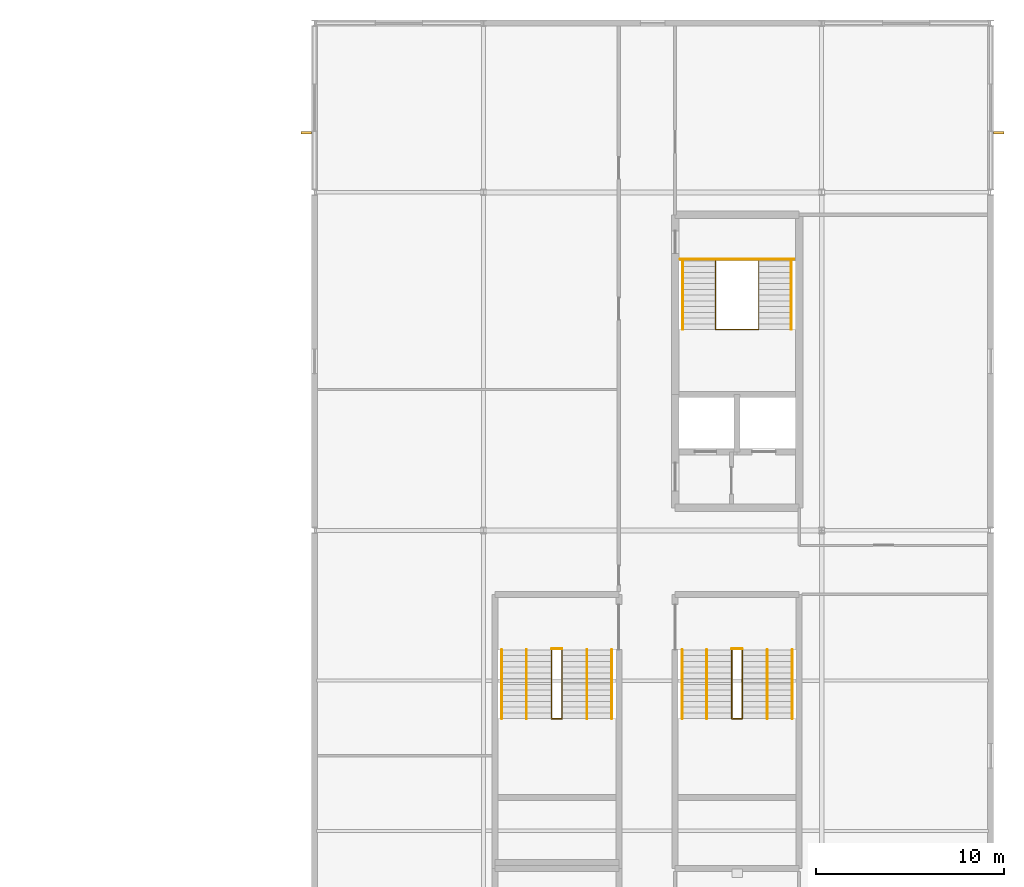
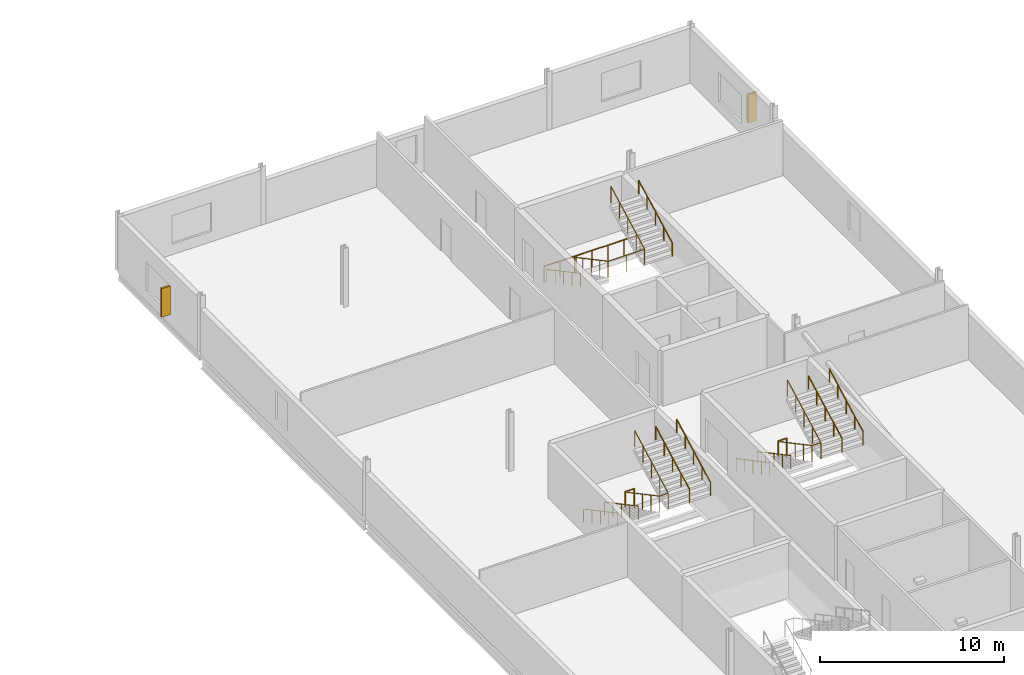
# One storey, part 26 of 27: 16 railings, 2 shading devices.
"""IFC4 building model written with IfcOpenShell, lengths in metres."""

from ifc_helpers import new_model, si_unit, direction, frame, origin, origin_2d, place, context, subcontext, project, spatial, rectangle, circle, extrude, material, type_object, element, save


model = new_model("IFC4")

# Units and contexts
model_context = context("Model", 3, precision=1e-05, world=origin(), true_north=direction((0.0, 1.0)))
body_context = subcontext(model_context, "Body", "Model", "MODEL_VIEW")
ifc_project = project(units=[si_unit("LENGTHUNIT", "METRE"), si_unit("AREAUNIT", "SQUARE_METRE"), si_unit("VOLUMEUNIT", "CUBIC_METRE"), si_unit("PLANEANGLEUNIT", "RADIAN"), si_unit("MASSUNIT", "GRAM", prefix="KILO")], contexts=[model_context])

# Site, building, storey
site_placement = place(None, origin())
site = spatial("IfcSite", under=ifc_project, at=site_placement, CompositionType="ELEMENT")
building_placement = place(site_placement, origin())
building = spatial("IfcBuilding", under=site, at=building_placement, Name="Kisiwana Market Hall", CompositionType="ELEMENT")
storey_placement = place(building_placement, frame((0.0, 0.0, 41.699951171875)))
storey = spatial("IfcBuildingStorey", under=building, at=storey_placement, Name="L09", CompositionType="ELEMENT", Elevation=41.699951171875)

# Railings
ifc_material_1 = material(Name="Steel S275", Category="steel")
railing_type_1 = type_object("IfcRailingType", Name="RL-GUARD-1100", PredefinedType="GUARDRAIL", material=ifc_material_1)
railing_1_placement = place(storey_placement, frame((183.35009765625, 98.3505859375, 0.0)))
element("IfcRailing", 1, at=railing_1_placement, inside=storey, type_object=railing_type_1, Name="Stair ST-E1-L09 inner-well guardrail (RL-1219)", PredefinedType="GUARDRAIL", context=body_context, shape_type="SweptSolid", body=[
    extrude(circle(Radius=0.02392578125, at=origin_2d()), frame((0.0, 0.0, 1.076171875), z_axis=(0.0, -0.882566327451, 0.470187917379), x_axis=(1.0, 0.0, 0.0)), (0.0, 0.0, 1.0), 4.147216796875),
    extrude(circle(Radius=0.02392578125, at=origin_2d()), frame((0.0, -3.66015625, 3.02587890625), z_axis=(1.0, 0.0, 0.0), x_axis=(0.0, 1.0, 0.0)), (0.0, 0.0, 1.0), 2.2998046875),
    extrude(circle(Radius=0.02392578125, at=origin_2d()), frame((2.2998046875, -3.66015625, 3.02587890625), z_axis=(0.0, 0.882541897885, 0.470233770031), x_axis=(-1.0, 0.0, 0.0)), (0.0, 0.0, 1.0), 4.147216796875),
    extrude(circle(Radius=0.02099609375, at=origin_2d()), origin(), (0.0, 0.0, 1.0), 1.052001953125),
    extrude(circle(Radius=0.02099609375, at=origin_2d()), frame((0.0, -0.9150390625, 0.487548828125)), (0.0, 0.0, 1.0), 1.052001953125),
    extrude(circle(Radius=0.02099609375, at=origin_2d()), frame((0.0, -1.830078125, 0.97509765625)), (0.0, 0.0, 1.0), 1.052001953125),
    extrude(circle(Radius=0.02099609375, at=origin_2d()), frame((0.0, -2.7451171875, 1.46240234375)), (0.0, 0.0, 1.0), 1.052001953125),
    extrude(circle(Radius=0.02099609375, at=origin_2d()), frame((0.0, -3.66015625, 1.949951171875)), (0.0, 0.0, 1.0), 1.052001953125),
    extrude(circle(Radius=0.02099609375, at=origin_2d()), frame((1.14990234375, -3.66015625, 1.949951171875)), (0.0, 0.0, 1.0), 1.052001953125),
    extrude(circle(Radius=0.02099609375, at=origin_2d()), frame((2.2998046875, -3.66015625, 1.949951171875)), (0.0, 0.0, 1.0), 1.052001953125),
    extrude(circle(Radius=0.02099609375, at=origin_2d()), frame((2.2998046875, -2.7451171875, 2.4375)), (0.0, 0.0, 1.0), 1.052001953125),
    extrude(circle(Radius=0.02099609375, at=origin_2d()), frame((2.2998046875, -1.830078125, 2.925048828125)), (0.0, 0.0, 1.0), 1.052001953125),
    extrude(circle(Radius=0.02099609375, at=origin_2d()), frame((2.2998046875, -0.9150390625, 3.41259765625)), (0.0, 0.0, 1.0), 1.052001953125),
    extrude(circle(Radius=0.02099609375, at=origin_2d()), frame((2.2998046875, 0.0, 3.900146484375)), (0.0, 0.0, 1.0), 1.052001953125),
])
railing_2_placement = place(storey_placement, frame((181.47998046875, 98.430419921875, 0.0)))
element("IfcRailing", 2, at=railing_2_placement, inside=storey, type_object=railing_type_1, Name="Stair ST-E1-L09 landing edge guardrail (RL-1222)", PredefinedType="GUARDRAIL", context=body_context, shape_type="SweptSolid", body=[
    extrude(circle(Radius=0.02392578125, at=origin_2d()), frame((0.0, 0.0, 1.076171875), z_axis=(1.0, 0.0, 0.0), x_axis=(0.0, 1.0, 0.0)), (0.0, 0.0, 1.0), 6.0400390625),
    extrude(circle(Radius=0.02099609375, at=origin_2d()), origin(), (0.0, 0.0, 1.0), 1.052001953125),
    extrude(circle(Radius=0.02099609375, at=origin_2d()), frame((1.006591796875, 0.0, 0.0)), (0.0, 0.0, 1.0), 1.052001953125),
    extrude(circle(Radius=0.02099609375, at=origin_2d()), frame((2.013427734375, 0.0, 0.0)), (0.0, 0.0, 1.0), 1.052001953125),
    extrude(circle(Radius=0.02099609375, at=origin_2d()), frame((3.02001953125, 0.0, 0.0)), (0.0, 0.0, 1.0), 1.052001953125),
    extrude(circle(Radius=0.02099609375, at=origin_2d()), frame((4.026611328125, 0.0, 0.0)), (0.0, 0.0, 1.0), 1.052001953125),
    extrude(circle(Radius=0.02099609375, at=origin_2d()), frame((5.033447265625, 0.0, 0.0)), (0.0, 0.0, 1.0), 1.052001953125),
    extrude(circle(Radius=0.02099609375, at=origin_2d()), frame((6.0400390625, 0.0, 0.0)), (0.0, 0.0, 1.0), 1.052001953125),
])
railing_3_placement = place(storey_placement, frame((184.219970703125, 77.639892578125, 0.0)))
element("IfcRailing", 3, at=railing_3_placement, inside=storey, type_object=railing_type_1, Name="Stair ST-E4-L09 inner-well guardrail (RL-1241)", PredefinedType="GUARDRAIL", context=body_context, shape_type="SweptSolid", body=[
    extrude(circle(Radius=0.02392578125, at=origin_2d()), frame((0.0, 0.0, 1.076171875), z_axis=(0.0, -0.88255331184, 0.47021234752), x_axis=(1.0, 0.0, 0.0)), (0.0, 0.0, 1.0), 4.14697265625),
    extrude(circle(Radius=0.02392578125, at=origin_2d()), frame((0.0, -3.659912109375, 3.02587890625), z_axis=(1.0, 0.0, 0.0), x_axis=(0.0, 1.0, 0.0)), (0.0, 0.0, 1.0), 0.56005859375),
    extrude(circle(Radius=0.02392578125, at=origin_2d()), frame((0.56005859375, -3.659912109375, 3.02587890625), z_axis=(0.0, 0.882528880096, 0.470258201201), x_axis=(-1.0, 0.0, 0.0)), (0.0, 0.0, 1.0), 4.14697265625),
    extrude(circle(Radius=0.02099609375, at=origin_2d()), origin(), (0.0, 0.0, 1.0), 1.052001953125),
    extrude(circle(Radius=0.02099609375, at=origin_2d()), frame((0.0, -0.9150390625, 0.487548828125)), (0.0, 0.0, 1.0), 1.052001953125),
    extrude(circle(Radius=0.02099609375, at=origin_2d()), frame((0.0, -1.830078125, 0.97509765625)), (0.0, 0.0, 1.0), 1.052001953125),
    extrude(circle(Radius=0.02099609375, at=origin_2d()), frame((0.0, -2.744873046875, 1.46240234375)), (0.0, 0.0, 1.0), 1.052001953125),
    extrude(circle(Radius=0.02099609375, at=origin_2d()), frame((0.0, -3.659912109375, 1.949951171875)), (0.0, 0.0, 1.0), 1.052001953125),
    extrude(circle(Radius=0.02099609375, at=origin_2d()), frame((0.56005859375, -3.659912109375, 1.949951171875)), (0.0, 0.0, 1.0), 1.052001953125),
    extrude(circle(Radius=0.02099609375, at=origin_2d()), frame((0.56005859375, -2.744873046875, 2.4375)), (0.0, 0.0, 1.0), 1.052001953125),
    extrude(circle(Radius=0.02099609375, at=origin_2d()), frame((0.56005859375, -1.830078125, 2.925048828125)), (0.0, 0.0, 1.0), 1.052001953125),
    extrude(circle(Radius=0.02099609375, at=origin_2d()), frame((0.56005859375, -0.9150390625, 3.41259765625)), (0.0, 0.0, 1.0), 1.052001953125),
    extrude(circle(Radius=0.02099609375, at=origin_2d()), frame((0.56005859375, 0.0, 3.900146484375)), (0.0, 0.0, 1.0), 1.052001953125),
])
railing_4_placement = place(storey_placement, frame((184.219970703125, 77.68994140625, 0.0)))
element("IfcRailing", 4, at=railing_4_placement, inside=storey, type_object=railing_type_1, Name="Stair ST-E4-L09 landing edge guardrail (RL-1246)", PredefinedType="GUARDRAIL", context=body_context, shape_type="SweptSolid", body=[
    extrude(circle(Radius=0.02392578125, at=origin_2d()), frame((0.0, 0.0, 1.076171875), z_axis=(1.0, 0.0, 0.0), x_axis=(0.0, 1.0, 0.0)), (0.0, 0.0, 1.0), 0.56005859375),
    extrude(circle(Radius=0.02099609375, at=origin_2d()), origin(), (0.0, 0.0, 1.0), 1.052001953125),
    extrude(circle(Radius=0.02099609375, at=origin_2d()), frame((0.56005859375, 0.0, 0.0)), (0.0, 0.0, 1.0), 1.052001953125),
])
railing_5_placement = place(storey_placement, frame((174.6201171875, 77.639892578125, 0.0)))
element("IfcRailing", 5, at=railing_5_placement, inside=storey, type_object=railing_type_1, Name="Stair ST-E8-L09 inner-well guardrail (RL-1265)", PredefinedType="GUARDRAIL", context=body_context, shape_type="SweptSolid", body=[
    extrude(circle(Radius=0.02392578125, at=origin_2d()), frame((0.0, 0.0, 1.076171875), z_axis=(0.0, -0.88255331184, 0.47021234752), x_axis=(1.0, 0.0, 0.0)), (0.0, 0.0, 1.0), 4.14697265625),
    extrude(circle(Radius=0.02392578125, at=origin_2d()), frame((0.0, -3.659912109375, 3.02587890625), z_axis=(1.0, 0.0, 0.0), x_axis=(0.0, 1.0, 0.0)), (0.0, 0.0, 1.0), 0.559814453125),
    extrude(circle(Radius=0.02392578125, at=origin_2d()), frame((0.559814453125, -3.659912109375, 3.02587890625), z_axis=(0.0, 0.882528880096, 0.470258201201), x_axis=(-1.0, 0.0, 0.0)), (0.0, 0.0, 1.0), 4.14697265625),
    extrude(circle(Radius=0.02099609375, at=origin_2d()), origin(), (0.0, 0.0, 1.0), 1.052001953125),
    extrude(circle(Radius=0.02099609375, at=origin_2d()), frame((0.0, -0.9150390625, 0.487548828125)), (0.0, 0.0, 1.0), 1.052001953125),
    extrude(circle(Radius=0.02099609375, at=origin_2d()), frame((0.0, -1.830078125, 0.97509765625)), (0.0, 0.0, 1.0), 1.052001953125),
    extrude(circle(Radius=0.02099609375, at=origin_2d()), frame((0.0, -2.744873046875, 1.46240234375)), (0.0, 0.0, 1.0), 1.052001953125),
    extrude(circle(Radius=0.02099609375, at=origin_2d()), frame((0.0, -3.659912109375, 1.949951171875)), (0.0, 0.0, 1.0), 1.052001953125),
    extrude(circle(Radius=0.02099609375, at=origin_2d()), frame((0.559814453125, -3.659912109375, 1.949951171875)), (0.0, 0.0, 1.0), 1.052001953125),
    extrude(circle(Radius=0.02099609375, at=origin_2d()), frame((0.559814453125, -2.744873046875, 2.4375)), (0.0, 0.0, 1.0), 1.052001953125),
    extrude(circle(Radius=0.02099609375, at=origin_2d()), frame((0.559814453125, -1.830078125, 2.925048828125)), (0.0, 0.0, 1.0), 1.052001953125),
    extrude(circle(Radius=0.02099609375, at=origin_2d()), frame((0.559814453125, -0.9150390625, 3.41259765625)), (0.0, 0.0, 1.0), 1.052001953125),
    extrude(circle(Radius=0.02099609375, at=origin_2d()), frame((0.559814453125, 0.0, 3.900146484375)), (0.0, 0.0, 1.0), 1.052001953125),
])
railing_6_placement = place(storey_placement, frame((174.6201171875, 77.68994140625, 0.0)))
element("IfcRailing", 6, at=railing_6_placement, inside=storey, type_object=railing_type_1, Name="Stair ST-E8-L09 landing edge guardrail (RL-1270)", PredefinedType="GUARDRAIL", context=body_context, shape_type="SweptSolid", body=[
    extrude(circle(Radius=0.02392578125, at=origin_2d()), frame((0.0, 0.0, 1.076171875), z_axis=(1.0, 0.0, 0.0), x_axis=(0.0, 1.0, 0.0)), (0.0, 0.0, 1.0), 0.559814453125),
    extrude(circle(Radius=0.02099609375, at=origin_2d()), origin(), (0.0, 0.0, 1.0), 1.052001953125),
    extrude(circle(Radius=0.02099609375, at=origin_2d()), frame((0.559814453125, 0.0, 0.0)), (0.0, 0.0, 1.0), 1.052001953125),
])
ifc_material_2 = material(Name="Steel S275", Category="steel")
railing_type_2 = type_object("IfcRailingType", Name="RL-HAND-900", PredefinedType="HANDRAIL", material=ifc_material_2)
railing_7_placement = place(storey_placement, frame((181.610107421875, 98.3505859375, 0.0)))
element("IfcRailing", 7, at=railing_7_placement, inside=storey, type_object=railing_type_2, Name="Stair ST-E1-L09 flight 1 handrail (RL-1220)", PredefinedType="HANDRAIL", context=body_context, shape_type="SweptSolid", body=[
    extrude(circle(Radius=0.02392578125, at=origin_2d()), frame((0.0, 0.0, 0.8759765625), z_axis=(0.0, -0.882566327451, 0.470187917379), x_axis=(1.0, 0.0, 0.0)), (0.0, 0.0, 1.0), 4.147216796875),
    extrude(circle(Radius=0.02099609375, at=origin_2d()), origin(), (0.0, 0.0, 1.0), 0.851806640625),
    extrude(circle(Radius=0.02099609375, at=origin_2d()), frame((0.0, -0.9150390625, 0.487548828125)), (0.0, 0.0, 1.0), 0.851806640625),
    extrude(circle(Radius=0.02099609375, at=origin_2d()), frame((0.0, -1.830078125, 0.97509765625)), (0.0, 0.0, 1.0), 0.851806640625),
    extrude(circle(Radius=0.02099609375, at=origin_2d()), frame((0.0, -2.7451171875, 1.46240234375)), (0.0, 0.0, 1.0), 0.851806640625),
    extrude(circle(Radius=0.02099609375, at=origin_2d()), frame((0.0, -3.66015625, 1.949951171875)), (0.0, 0.0, 1.0), 0.851806640625),
])
railing_8_placement = place(storey_placement, frame((187.389892578125, 94.6904296875, 1.949951171875)))
element("IfcRailing", 8, at=railing_8_placement, inside=storey, type_object=railing_type_2, Name="Stair ST-E1-L09 flight 2 handrail (RL-1221)", PredefinedType="HANDRAIL", context=body_context, shape_type="SweptSolid", body=[
    extrude(circle(Radius=0.02392578125, at=origin_2d()), frame((0.0, 0.0, 0.8759765625), z_axis=(0.0, 0.882541897885, 0.470233770031), x_axis=(-1.0, 0.0, 0.0)), (0.0, 0.0, 1.0), 4.147216796875),
    extrude(circle(Radius=0.02099609375, at=origin_2d()), origin(), (0.0, 0.0, 1.0), 0.851806640625),
    extrude(circle(Radius=0.02099609375, at=origin_2d()), frame((0.0, 0.9150390625, 0.487548828125)), (0.0, 0.0, 1.0), 0.851806640625),
    extrude(circle(Radius=0.02099609375, at=origin_2d()), frame((0.0, 1.830078125, 0.97509765625)), (0.0, 0.0, 1.0), 0.851806640625),
    extrude(circle(Radius=0.02099609375, at=origin_2d()), frame((0.0, 2.7451171875, 1.462646484375)), (0.0, 0.0, 1.0), 0.851806640625),
    extrude(circle(Radius=0.02099609375, at=origin_2d()), frame((0.0, 3.66015625, 1.9501953125)), (0.0, 0.0, 1.0), 0.851806640625),
])
railing_9_placement = place(storey_placement, frame((181.570068359375, 77.639892578125, 0.0)))
element("IfcRailing", 9, at=railing_9_placement, inside=storey, type_object=railing_type_2, Name="Stair ST-E4-L09 flight 1 handrail (RL-1242)", PredefinedType="HANDRAIL", context=body_context, shape_type="SweptSolid", body=[
    extrude(circle(Radius=0.02392578125, at=origin_2d()), frame((0.0, 0.0, 0.8759765625), z_axis=(0.0, -0.88255331184, 0.47021234752), x_axis=(1.0, 0.0, 0.0)), (0.0, 0.0, 1.0), 4.14697265625),
    extrude(circle(Radius=0.02099609375, at=origin_2d()), origin(), (0.0, 0.0, 1.0), 0.851806640625),
    extrude(circle(Radius=0.02099609375, at=origin_2d()), frame((0.0, -0.9150390625, 0.487548828125)), (0.0, 0.0, 1.0), 0.851806640625),
    extrude(circle(Radius=0.02099609375, at=origin_2d()), frame((0.0, -1.830078125, 0.97509765625)), (0.0, 0.0, 1.0), 0.851806640625),
    extrude(circle(Radius=0.02099609375, at=origin_2d()), frame((0.0, -2.744873046875, 1.46240234375)), (0.0, 0.0, 1.0), 0.851806640625),
    extrude(circle(Radius=0.02099609375, at=origin_2d()), frame((0.0, -3.659912109375, 1.949951171875)), (0.0, 0.0, 1.0), 0.851806640625),
])
railing_10_placement = place(storey_placement, frame((187.429931640625, 73.97998046875, 1.949951171875)))
element("IfcRailing", 10, at=railing_10_placement, inside=storey, type_object=railing_type_2, Name="Stair ST-E4-L09 flight 2 handrail (RL-1243)", PredefinedType="HANDRAIL", context=body_context, shape_type="SweptSolid", body=[
    extrude(circle(Radius=0.02392578125, at=origin_2d()), frame((0.0, 0.0, 0.8759765625), z_axis=(0.0, 0.882528880096, 0.470258201201), x_axis=(-1.0, 0.0, 0.0)), (0.0, 0.0, 1.0), 4.14697265625),
    extrude(circle(Radius=0.02099609375, at=origin_2d()), origin(), (0.0, 0.0, 1.0), 0.851806640625),
    extrude(circle(Radius=0.02099609375, at=origin_2d()), frame((0.0, 0.9150390625, 0.487548828125)), (0.0, 0.0, 1.0), 0.851806640625),
    extrude(circle(Radius=0.02099609375, at=origin_2d()), frame((0.0, 1.830078125, 0.97509765625)), (0.0, 0.0, 1.0), 0.851806640625),
    extrude(circle(Radius=0.02099609375, at=origin_2d()), frame((0.0, 2.744873046875, 1.462646484375)), (0.0, 0.0, 1.0), 0.851806640625),
    extrude(circle(Radius=0.02099609375, at=origin_2d()), frame((0.0, 3.659912109375, 1.9501953125)), (0.0, 0.0, 1.0), 0.851806640625),
])
railing_11_placement = place(storey_placement, frame((182.889892578125, 77.639892578125, 0.0)))
element("IfcRailing", 11, at=railing_11_placement, inside=storey, type_object=railing_type_2, Name="Stair ST-E4-L09 flight 1 intermediate handrail (RL-1244)", PredefinedType="HANDRAIL", context=body_context, shape_type="SweptSolid", body=[
    extrude(circle(Radius=0.02392578125, at=origin_2d()), frame((0.0, 0.0, 0.8759765625), z_axis=(0.0, -0.88255331184, 0.47021234752), x_axis=(1.0, 0.0, 0.0)), (0.0, 0.0, 1.0), 4.14697265625),
    extrude(circle(Radius=0.02099609375, at=origin_2d()), origin(), (0.0, 0.0, 1.0), 0.851806640625),
    extrude(circle(Radius=0.02099609375, at=origin_2d()), frame((0.0, -0.9150390625, 0.487548828125)), (0.0, 0.0, 1.0), 0.851806640625),
    extrude(circle(Radius=0.02099609375, at=origin_2d()), frame((0.0, -1.830078125, 0.97509765625)), (0.0, 0.0, 1.0), 0.851806640625),
    extrude(circle(Radius=0.02099609375, at=origin_2d()), frame((0.0, -2.744873046875, 1.46240234375)), (0.0, 0.0, 1.0), 0.851806640625),
    extrude(circle(Radius=0.02099609375, at=origin_2d()), frame((0.0, -3.659912109375, 1.949951171875)), (0.0, 0.0, 1.0), 0.851806640625),
])
railing_12_placement = place(storey_placement, frame((186.110107421875, 73.97998046875, 1.949951171875)))
element("IfcRailing", 12, at=railing_12_placement, inside=storey, type_object=railing_type_2, Name="Stair ST-E4-L09 flight 2 intermediate handrail (RL-1245)", PredefinedType="HANDRAIL", context=body_context, shape_type="SweptSolid", body=[
    extrude(circle(Radius=0.02392578125, at=origin_2d()), frame((0.0, 0.0, 0.8759765625), z_axis=(0.0, 0.882528880096, 0.470258201201), x_axis=(-1.0, 0.0, 0.0)), (0.0, 0.0, 1.0), 4.14697265625),
    extrude(circle(Radius=0.02099609375, at=origin_2d()), origin(), (0.0, 0.0, 1.0), 0.851806640625),
    extrude(circle(Radius=0.02099609375, at=origin_2d()), frame((0.0, 0.9150390625, 0.487548828125)), (0.0, 0.0, 1.0), 0.851806640625),
    extrude(circle(Radius=0.02099609375, at=origin_2d()), frame((0.0, 1.830078125, 0.97509765625)), (0.0, 0.0, 1.0), 0.851806640625),
    extrude(circle(Radius=0.02099609375, at=origin_2d()), frame((0.0, 2.744873046875, 1.462646484375)), (0.0, 0.0, 1.0), 0.851806640625),
    extrude(circle(Radius=0.02099609375, at=origin_2d()), frame((0.0, 3.659912109375, 1.9501953125)), (0.0, 0.0, 1.0), 0.851806640625),
])
railing_13_placement = place(storey_placement, frame((171.969970703125, 77.639892578125, 0.0)))
element("IfcRailing", 13, at=railing_13_placement, inside=storey, type_object=railing_type_2, Name="Stair ST-E8-L09 flight 1 handrail (RL-1266)", PredefinedType="HANDRAIL", context=body_context, shape_type="SweptSolid", body=[
    extrude(circle(Radius=0.02392578125, at=origin_2d()), frame((0.0, 0.0, 0.8759765625), z_axis=(0.0, -0.88255331184, 0.47021234752), x_axis=(1.0, 0.0, 0.0)), (0.0, 0.0, 1.0), 4.14697265625),
    extrude(circle(Radius=0.02099609375, at=origin_2d()), origin(), (0.0, 0.0, 1.0), 0.851806640625),
    extrude(circle(Radius=0.02099609375, at=origin_2d()), frame((0.0, -0.9150390625, 0.487548828125)), (0.0, 0.0, 1.0), 0.851806640625),
    extrude(circle(Radius=0.02099609375, at=origin_2d()), frame((0.0, -1.830078125, 0.97509765625)), (0.0, 0.0, 1.0), 0.851806640625),
    extrude(circle(Radius=0.02099609375, at=origin_2d()), frame((0.0, -2.744873046875, 1.46240234375)), (0.0, 0.0, 1.0), 0.851806640625),
    extrude(circle(Radius=0.02099609375, at=origin_2d()), frame((0.0, -3.659912109375, 1.949951171875)), (0.0, 0.0, 1.0), 0.851806640625),
])
railing_14_placement = place(storey_placement, frame((177.830078125, 73.97998046875, 1.949951171875)))
element("IfcRailing", 14, at=railing_14_placement, inside=storey, type_object=railing_type_2, Name="Stair ST-E8-L09 flight 2 handrail (RL-1267)", PredefinedType="HANDRAIL", context=body_context, shape_type="SweptSolid", body=[
    extrude(circle(Radius=0.02392578125, at=origin_2d()), frame((0.0, 0.0, 0.8759765625), z_axis=(0.0, 0.882528880096, 0.470258201201), x_axis=(-1.0, 0.0, 0.0)), (0.0, 0.0, 1.0), 4.14697265625),
    extrude(circle(Radius=0.02099609375, at=origin_2d()), origin(), (0.0, 0.0, 1.0), 0.851806640625),
    extrude(circle(Radius=0.02099609375, at=origin_2d()), frame((0.0, 0.9150390625, 0.487548828125)), (0.0, 0.0, 1.0), 0.851806640625),
    extrude(circle(Radius=0.02099609375, at=origin_2d()), frame((0.0, 1.830078125, 0.97509765625)), (0.0, 0.0, 1.0), 0.851806640625),
    extrude(circle(Radius=0.02099609375, at=origin_2d()), frame((0.0, 2.744873046875, 1.462646484375)), (0.0, 0.0, 1.0), 0.851806640625),
    extrude(circle(Radius=0.02099609375, at=origin_2d()), frame((0.0, 3.659912109375, 1.9501953125)), (0.0, 0.0, 1.0), 0.851806640625),
])
railing_15_placement = place(storey_placement, frame((173.2900390625, 77.639892578125, 0.0)))
element("IfcRailing", 15, at=railing_15_placement, inside=storey, type_object=railing_type_2, Name="Stair ST-E8-L09 flight 1 intermediate handrail (RL-1268)", PredefinedType="HANDRAIL", context=body_context, shape_type="SweptSolid", body=[
    extrude(circle(Radius=0.02392578125, at=origin_2d()), frame((0.0, 0.0, 0.8759765625), z_axis=(0.0, -0.88255331184, 0.47021234752), x_axis=(1.0, 0.0, 0.0)), (0.0, 0.0, 1.0), 4.14697265625),
    extrude(circle(Radius=0.02099609375, at=origin_2d()), origin(), (0.0, 0.0, 1.0), 0.851806640625),
    extrude(circle(Radius=0.02099609375, at=origin_2d()), frame((0.0, -0.9150390625, 0.487548828125)), (0.0, 0.0, 1.0), 0.851806640625),
    extrude(circle(Radius=0.02099609375, at=origin_2d()), frame((0.0, -1.830078125, 0.97509765625)), (0.0, 0.0, 1.0), 0.851806640625),
    extrude(circle(Radius=0.02099609375, at=origin_2d()), frame((0.0, -2.744873046875, 1.46240234375)), (0.0, 0.0, 1.0), 0.851806640625),
    extrude(circle(Radius=0.02099609375, at=origin_2d()), frame((0.0, -3.659912109375, 1.949951171875)), (0.0, 0.0, 1.0), 0.851806640625),
])
railing_16_placement = place(storey_placement, frame((176.510009765625, 73.97998046875, 1.949951171875)))
element("IfcRailing", 16, at=railing_16_placement, inside=storey, type_object=railing_type_2, Name="Stair ST-E8-L09 flight 2 intermediate handrail (RL-1269)", PredefinedType="HANDRAIL", context=body_context, shape_type="SweptSolid", body=[
    extrude(circle(Radius=0.02392578125, at=origin_2d()), frame((0.0, 0.0, 0.8759765625), z_axis=(0.0, 0.882528880096, 0.470258201201), x_axis=(-1.0, 0.0, 0.0)), (0.0, 0.0, 1.0), 4.14697265625),
    extrude(circle(Radius=0.02099609375, at=origin_2d()), origin(), (0.0, 0.0, 1.0), 0.851806640625),
    extrude(circle(Radius=0.02099609375, at=origin_2d()), frame((0.0, 0.9150390625, 0.487548828125)), (0.0, 0.0, 1.0), 0.851806640625),
    extrude(circle(Radius=0.02099609375, at=origin_2d()), frame((0.0, 1.830078125, 0.97509765625)), (0.0, 0.0, 1.0), 0.851806640625),
    extrude(circle(Radius=0.02099609375, at=origin_2d()), frame((0.0, 2.744873046875, 1.462646484375)), (0.0, 0.0, 1.0), 0.851806640625),
    extrude(circle(Radius=0.02099609375, at=origin_2d()), frame((0.0, 3.659912109375, 1.9501953125)), (0.0, 0.0, 1.0), 0.851806640625),
])

# Shading devices
ifc_material_3 = material(Name="Aluminium alloy 6063-T6", Category="aluminium")
shading_device_type = type_object("IfcShadingDeviceType", Name="SHD-SHUTTER-V", PredefinedType="SHUTTER", material=ifc_material_3)
for number, where, z_axis, x_axis, name in (
    (17, (161.5673828125, 105.169921875, 0.7001953125), (0.0, 0.0, 1.0), (0.0, 1.0, 0.0), "Vertical solar fin SHD-194 SD-193"),
    (18, (198.4326171875, 105.169921875, 0.7001953125), (0.0, 0.0, 1.0), (0.0, 1.0, 0.0), "Vertical solar fin SHD-196 SD-195"),
):
    element("IfcShadingDevice", number, at=place(storey_placement, frame(where, z_axis=z_axis, x_axis=x_axis)), inside=storey, type_object=shading_device_type, Name=name, PredefinedType="SHUTTER", context=body_context, shape_type="SweptSolid", body=[
        extrude(rectangle(XDim=0.1201171875, YDim=0.550048828125, at=origin_2d()), origin(), (0.0, 0.0, 1.0), 1.89990234375),
    ])

save(model, "model.ifc")
